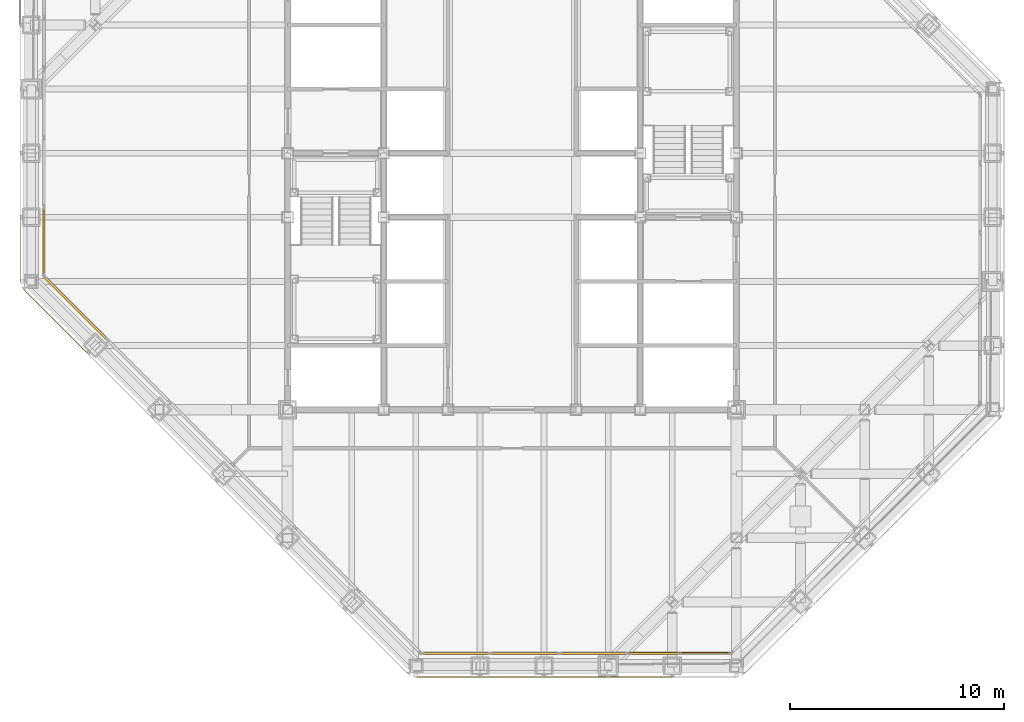
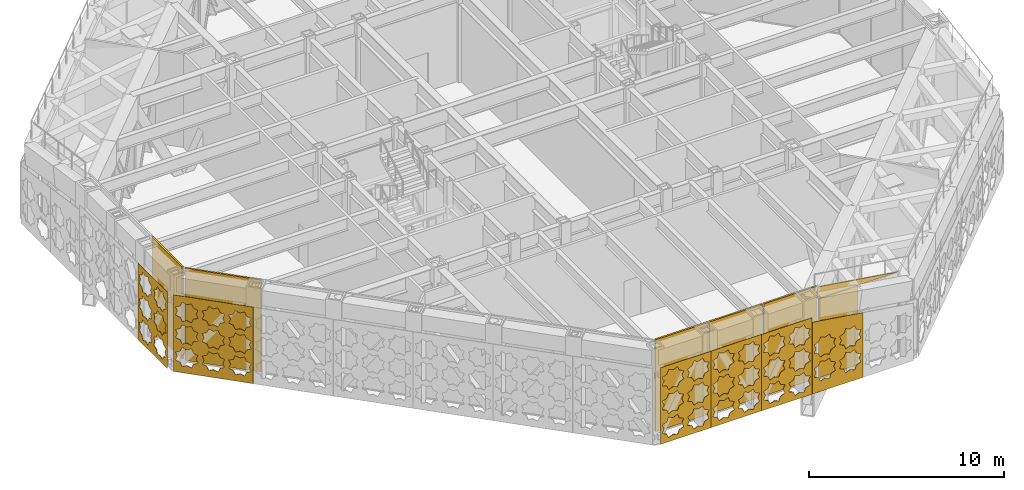
# One storey, part 23 of 29: 7 coverings, 6 shading devices, 4 elements without a shape of their own.
"""IFC4 building model written with IfcOpenShell, lengths in metres."""

import ifcopenshell
import ifcopenshell.guid

model = None  # the IFC model being written
_history = None  # IfcOwnerHistory: only IFC2X3 demands one
_inside = {}  # id of a spatial element -> (the spatial element, [elements in it])
_under = {}  # id of a project, library or spatial element -> (it, [spatial elements below it])
_declared = {}  # id of a project -> (the project, [libraries it declares])
_typed = {}  # id of a type object -> (the type object, [elements of that type])
_made_of = {}  # id of a material, layer set ... -> (it, [elements and type objects made of it])


def new_model(schema):
    """Start an empty IFC model of exactly this schema.

    Asked for "IFC4X3", IfcOpenShell would pick the latest addendum, in which some entities
    have other attributes; the version numbers below select the first issue.
    IFC2X3 requires an IfcOwnerHistory on every rooted entity: one is made here for all.
    """
    global model, _history
    if schema == "IFC4X3":
        model = ifcopenshell.file(schema_version=(4, 3, 0, 0))
    else:
        model = ifcopenshell.file(schema=schema)
    _inside.clear()
    _under.clear()
    _declared.clear()
    _typed.clear()
    _made_of.clear()
    _history = None
    if model.schema == "IFC2X3":
        org = make("IfcOrganization", Name="unknown")
        user = make(
            "IfcPersonAndOrganization",
            ThePerson=make("IfcPerson", FamilyName="unknown"),
            TheOrganization=org,
        )
        app = make(
            "IfcApplication",
            ApplicationDeveloper=org,
            Version="unknown",
            ApplicationFullName="unknown",
            ApplicationIdentifier="unknown",
        )
        _history = make(
            "IfcOwnerHistory",
            OwningUser=user,
            OwningApplication=app,
            ChangeAction="ADDED",
            CreationDate=0,
        )
    return model


def make(cls, **values):
    """One entity of the class cls with the attributes given. An attribute that is None is left unset."""
    return model.create_entity(
        cls, **{name: value for name, value in values.items() if value is not None}
    )


def rooted(cls, **values):
    """An entity with a GlobalId (a new one), such as an element, a storey or a relation."""
    return make(cls, GlobalId=ifcopenshell.guid.new(), OwnerHistory=_history, **values)


def si_unit(unit_type, name, prefix=None):
    """IfcSIUnit, for example si_unit("LENGTHUNIT", "METRE", prefix="MILLI")."""
    return make("IfcSIUnit", UnitType=unit_type, Prefix=prefix, Name=name)


def assignment(units):
    """IfcUnitAssignment: the units of a project."""
    return None if units is None else make("IfcUnitAssignment", Units=units)


def point(xyz):
    """IfcCartesianPoint."""
    return None if xyz is None else make("IfcCartesianPoint", Coordinates=xyz)


def direction(xyz):
    """IfcDirection."""
    return None if xyz is None else make("IfcDirection", DirectionRatios=xyz)


def frame(location, z_axis=None, x_axis=None):
    """IfcAxis2Placement3D, a coordinate frame: its origin and axes. An axis left out is left unset."""
    return make(
        "IfcAxis2Placement3D",
        Location=point(location),
        Axis=direction(z_axis),
        RefDirection=direction(x_axis),
    )


def frame_2d(location, x_axis=None):
    """IfcAxis2Placement2D, a coordinate frame in the plane: its origin and x axis."""
    return make(
        "IfcAxis2Placement2D", Location=point(location), RefDirection=direction(x_axis)
    )


def origin():
    """The frame at (0, 0, 0) with its axes left unset."""
    return frame((0.0, 0.0, 0.0))


def origin_2d():
    """The frame at (0, 0) in the plane with its x axis left unset."""
    return frame_2d((0.0, 0.0))


def place(relative_to, where):
    """IfcLocalPlacement: puts the frame where relative to a parent placement (None: the world)."""
    return make(
        "IfcLocalPlacement", PlacementRelTo=relative_to, RelativePlacement=where
    )


def context(
    kind, dimensions, precision=None, world=None, true_north=None, identifier=None
):
    """IfcGeometricRepresentationContext, for example the 3D "Model" context."""
    return make(
        "IfcGeometricRepresentationContext",
        ContextIdentifier=identifier,
        ContextType=kind,
        CoordinateSpaceDimension=dimensions,
        Precision=precision,
        WorldCoordinateSystem=world,
        TrueNorth=true_north,
    )


def subcontext(parent, identifier, kind, view, scale=None):
    """IfcGeometricRepresentationSubContext, for example "Body" below "Model"."""
    return make(
        "IfcGeometricRepresentationSubContext",
        ContextIdentifier=identifier,
        ContextType=kind,
        ParentContext=parent,
        TargetScale=scale,
        TargetView=view,
    )


def project(units=None, contexts=None):
    """IfcProject with its units and contexts."""
    return rooted(
        "IfcProject",
        Name="project",
        RepresentationContexts=contexts,
        UnitsInContext=assignment(units),
    )


def spatial(cls, under=None, at=None, **own):
    """A site, building, storey or space (cls), placed at a placement, below another one or the project."""
    s = rooted(cls, ObjectPlacement=at, **own)
    if under is not None:
        _under.setdefault(under.id(), (under, []))[1].append(s)
    return s


def polyline(points):
    """IfcPolyline through the points."""
    return make("IfcPolyline", Points=[point(p) for p in points])


def profile(cls, at=None, kind="AREA", **sizes):
    """A parametric profile (cls). Its sizes go by their IFC names, for example OverallWidth=200.0."""
    return make(cls, ProfileType=kind, Position=at, **sizes)


def rectangle(**sizes):
    """IfcRectangleProfileDef."""
    return profile("IfcRectangleProfileDef", **sizes)


def outline(outer, holes=None, kind="AREA"):
    """IfcArbitraryClosedProfileDef: a profile drawn as a closed curve; with holes, ...WithVoids."""
    if holes is None:
        return make("IfcArbitraryClosedProfileDef", ProfileType=kind, OuterCurve=outer)
    return make(
        "IfcArbitraryProfileDefWithVoids",
        ProfileType=kind,
        OuterCurve=outer,
        InnerCurves=holes,
    )


def extrude(swept, where, along, depth):
    """IfcExtrudedAreaSolid: the profile swept, set in the frame where, extruded along a direction by depth."""
    return make(
        "IfcExtrudedAreaSolid",
        SweptArea=swept,
        Position=where,
        ExtrudedDirection=direction(along),
        Depth=depth,
    )


def shape(context_of_items, identifier, shape_type, items):
    """IfcShapeRepresentation: the items that make up one representation, for example the "Body"."""
    return make(
        "IfcShapeRepresentation",
        ContextOfItems=context_of_items,
        RepresentationIdentifier=identifier,
        RepresentationType=shape_type,
        Items=items,
    )


def material(Name=None, Category=None):
    """IfcMaterial."""
    return make("IfcMaterial", Name=Name, Category=Category)


def layer(
    of_material, thickness, ventilated=None, Name=None, Category=None, Priority=None
):
    """IfcMaterialLayer: one layer of a wall or slab, of a material (None: an air gap)."""
    return make(
        "IfcMaterialLayer",
        Material=of_material,
        LayerThickness=thickness,
        IsVentilated=ventilated,
        Name=Name,
        Category=Category,
        Priority=Priority,
    )


def layer_set(layers, Name=None):
    """IfcMaterialLayerSet."""
    return make("IfcMaterialLayerSet", MaterialLayers=layers, LayerSetName=Name)


def made_of(thing, what):
    """Note that an element or type object is made of a material, layer set ...; save() writes the relation."""
    if what is not None:
        _made_of.setdefault(what.id(), (what, []))[1].append(thing)
    return thing


def type_object(cls, material=None, **own):
    """A type object (cls), such as IfcWallType, which elements share."""
    return made_of(rooted(cls, **own), material)


def element(
    cls,
    number,
    at=None,
    inside=None,
    cuts=None,
    type_object=None,
    material=None,
    context=None,
    identifier="Body",
    shape_type=None,
    held_by="IfcProductDefinitionShape",
    body=None,
    shapes=None,
    **own,
):
    """One element of the class cls, such as IfcWall. Its Tag is "e" and its number.

    at: its placement. inside: the storey or other place that contains it. cuts: it is an
    opening in that element (IfcRelVoidsElement). A single representation is given by context,
    identifier, shape_type and body (its items); several are given by shapes. held_by: the class
    of the entity that holds the representations. save() writes the other relations.
    """
    e = rooted(cls, Tag="e%d" % number, ObjectPlacement=at, **own)
    if body is not None:
        shapes = [shape(context, identifier, shape_type, body)]
    if shapes is not None:
        e.Representation = make(held_by, Representations=shapes)
    if inside is not None:
        _inside.setdefault(inside.id(), (inside, []))[1].append(e)
    if cuts is not None:
        rooted(
            "IfcRelVoidsElement", RelatingBuildingElement=cuts, RelatedOpeningElement=e
        )
    if type_object is not None:
        _typed.setdefault(type_object.id(), (type_object, []))[1].append(e)
    return made_of(e, material)


def aggregate(whole, parts):
    """IfcRelAggregates: a whole, such as a stair, and the parts it consists of."""
    return rooted("IfcRelAggregates", RelatingObject=whole, RelatedObjects=parts)


def save(model, path):
    """Write the relations noted so far, then the file.

    IfcRelAggregates (storeys below a building ...), IfcRelContainedInSpatialStructure (elements
    in a storey), IfcRelDefinesByType, IfcRelAssociatesMaterial and IfcRelDeclares: one each for
    every whole, place, type object, material and project.
    """
    for whole, parts in _under.values():
        aggregate(whole, parts)
    for where, things in _inside.values():
        rooted(
            "IfcRelContainedInSpatialStructure",
            RelatedElements=things,
            RelatingStructure=where,
        )
    for kind, things in _typed.values():
        rooted("IfcRelDefinesByType", RelatedObjects=things, RelatingType=kind)
    for what, things in _made_of.values():
        rooted("IfcRelAssociatesMaterial", RelatedObjects=things, RelatingMaterial=what)
    for by, libraries in _declared.values():
        rooted("IfcRelDeclares", RelatingContext=by, RelatedDefinitions=libraries)
    model.write(path)


model = new_model("IFC4")

# Units and contexts
model_context = context("Model", 3, precision=1e-05, world=origin(), true_north=direction((0.0, 1.0)))
body_context = subcontext(model_context, "Body", "Model", "MODEL_VIEW")
ifc_project = project(units=[si_unit("LENGTHUNIT", "METRE"), si_unit("AREAUNIT", "SQUARE_METRE"), si_unit("VOLUMEUNIT", "CUBIC_METRE"), si_unit("PLANEANGLEUNIT", "RADIAN"), si_unit("MASSUNIT", "GRAM", prefix="KILO")], contexts=[model_context])

# Site, building, storey
site_placement = place(None, origin())
site = spatial("IfcSite", under=ifc_project, at=site_placement, CompositionType="ELEMENT")
building_placement = place(site_placement, origin())
building = spatial("IfcBuilding", under=site, at=building_placement, Name="Chuquiago Exchange Tower", CompositionType="ELEMENT")
storey_placement = place(building_placement, frame((0.0, 0.0, 251.699951171875)))
storey = spatial("IfcBuildingStorey", under=building, at=storey_placement, Name="L56", CompositionType="ELEMENT", Elevation=251.699951171875)

# Curtain wall, shading devices
ifc_material_1 = material(Name="Aluminium curtain wall system", Category="aluminium")
ifc_layer_1 = layer(ifc_material_1, 0.199951171875)
ifc_layer_set_1 = layer_set([ifc_layer_1], Name="CW6 plant floor louvre wall")
curtain_wall_type = type_object("IfcCurtainWallType", Name="CW6 plant floor louvre wall", PredefinedType="NOTDEFINED", material=ifc_layer_set_1)
curtain_wall_1_placement = place(storey_placement, origin())
curtain_wall_1 = element("IfcCurtainWall", 1, at=curtain_wall_1_placement, inside=storey, type_object=curtain_wall_type, Name="CW6 curtain wall L56", PredefinedType="NOTDEFINED")
ifc_material_2 = material(Name="Aluminium louvre", Category="aluminium")
ifc_layer_2 = layer(ifc_material_2, 0.10009765625)
ifc_layer_set_2 = layer_set([ifc_layer_2], Name="CW6-P louvre panel 100")
shading_device_type = type_object("IfcShadingDeviceType", Name="CW6-P louvre panel 100", PredefinedType="USERDEFINED", material=ifc_layer_set_2)
shading_device_1_placement = place(storey_placement, frame((19.884765625, 0.60009765625, 0.0751953125), z_axis=(0.0, 0.0, 1.0), x_axis=(1.0, 0.0, 0.0)))
shading_device_1 = element("IfcShadingDevice", 2, at=shading_device_1_placement, type_object=shading_device_type, Name="CW6 panel 1.1", ObjectType="LOUVER", PredefinedType="USERDEFINED", context=body_context, shape_type="SweptSolid", body=[
    extrude(rectangle(XDim=3.12255859375, YDim=0.10009765625, at=origin_2d()), origin(), (0.0, 0.0, 1.0), 5.764892578125),
])
shading_device_2_placement = place(storey_placement, frame((23.10107421875, 0.60009765625, 0.0751953125), z_axis=(0.0, 0.0, 1.0), x_axis=(1.0, 0.0, 0.0)))
shading_device_2 = element("IfcShadingDevice", 3, at=shading_device_2_placement, type_object=shading_device_type, Name="CW6 panel 2.1", ObjectType="LOUVER", PredefinedType="USERDEFINED", context=body_context, shape_type="SweptSolid", body=[
    extrude(rectangle(XDim=3.159912109375, YDim=0.10009765625, at=origin_2d()), origin(), (0.0, 0.0, 1.0), 5.764892578125),
])
shading_device_3_placement = place(storey_placement, frame((26.317138671875, 0.60009765625, 0.0751953125), z_axis=(0.0, 0.0, 1.0), x_axis=(1.0, 0.0, 0.0)))
shading_device_3 = element("IfcShadingDevice", 4, at=shading_device_3_placement, type_object=shading_device_type, Name="CW6 panel 3.1", ObjectType="LOUVER", PredefinedType="USERDEFINED", context=body_context, shape_type="SweptSolid", body=[
    extrude(rectangle(XDim=3.12255859375, YDim=0.10009765625, at=origin_2d()), origin(), (0.0, 0.0, 1.0), 5.764892578125),
])
aggregate(curtain_wall_1, [shading_device_1, shading_device_2, shading_device_3])

# Curtain wall, shading device
curtain_wall_2_placement = place(storey_placement, origin())
curtain_wall_2 = element("IfcCurtainWall", 5, at=curtain_wall_2_placement, inside=storey, type_object=curtain_wall_type, Name="CW6 curtain wall L56", PredefinedType="NOTDEFINED")
shading_device_4_placement = place(storey_placement, frame((29.171630859375, 0.60009765625, 0.074951171875), z_axis=(0.0, 0.0, 1.0), x_axis=(1.0, 0.0, 0.0)))
shading_device_4 = element("IfcShadingDevice", 6, at=shading_device_4_placement, type_object=shading_device_type, Name="CW6 panel 1.1", ObjectType="LOUVER", PredefinedType="USERDEFINED", context=body_context, shape_type="SweptSolid", body=[
    extrude(rectangle(XDim=2.286376953125, YDim=0.10009765625, at=origin_2d()), origin(), (0.0, 0.0, 1.0), 4.9462890625),
])
aggregate(curtain_wall_2, [shading_device_4])

curtain_wall_3_placement = place(storey_placement, origin())
curtain_wall_3 = element("IfcCurtainWall", 7, at=curtain_wall_3_placement, inside=storey, type_object=curtain_wall_type, Name="CW6 curtain wall L56", PredefinedType="NOTDEFINED")
shading_device_5_placement = place(storey_placement, frame((0.60009765625, 19.884765625, 0.0751953125), z_axis=(0.0, 0.0, 1.0), x_axis=(0.0, -1.0, 0.0)))
shading_device_5 = element("IfcShadingDevice", 8, at=shading_device_5_placement, type_object=shading_device_type, Name="CW6 panel 3.1", ObjectType="LOUVER", PredefinedType="USERDEFINED", context=body_context, shape_type="SweptSolid", body=[
    extrude(rectangle(XDim=3.12255859375, YDim=0.10009765625, at=origin_2d()), origin(), (0.0, 0.0, 1.0), 5.764892578125),
])
aggregate(curtain_wall_3, [shading_device_5])

curtain_wall_4_placement = place(storey_placement, origin())
curtain_wall_4 = element("IfcCurtainWall", 9, at=curtain_wall_4_placement, inside=storey, type_object=curtain_wall_type, Name="CW6 curtain wall L56", PredefinedType="NOTDEFINED")
shading_device_6_placement = place(storey_placement, frame((2.083984375, 16.7646484375, 0.0751953125), z_axis=(0.0, 0.0, 1.0), x_axis=(0.707106781187, -0.707106781187, 0.0)))
shading_device_6 = element("IfcShadingDevice", 10, at=shading_device_6_placement, type_object=shading_device_type, Name="CW6 panel 1.1", ObjectType="LOUVER", PredefinedType="USERDEFINED", context=body_context, shape_type="SweptSolid", body=[
    extrude(rectangle(XDim=4.04736328125, YDim=0.10009765625, at=origin_2d()), origin(), (0.0, 0.0, 1.0), 5.764892578125),
])
aggregate(curtain_wall_4, [shading_device_6])

# Coverings
ifc_material_3 = material(Name="Pale metal insulated fascia panel", Category="aluminium")
ifc_layer_3 = layer(ifc_material_3, 0.050048828125)
ifc_layer_set_3 = layer_set([ifc_layer_3], Name="FX1 raked fascia panel 50")
covering_type_1 = type_object("IfcCoveringType", Name="FX1 raked fascia panel 50", PredefinedType="CLADDING", material=ifc_layer_set_3)
covering_1_placement = place(storey_placement, frame((27.95361328125, 0.60009765625, 5.021240234375), z_axis=(0.0, -1.0, 0.0), x_axis=(1.0, 0.0, 0.0)))
element("IfcCovering", 11, at=covering_1_placement, inside=storey, type_object=covering_type_1, Name="Raked fascia L56 S under the SE facet roof", PredefinedType="CLADDING", context=body_context, shape_type="SweptSolid", body=[
    extrude(outline(polyline([(0.0, 0.0), (4.7978515625, 0.0), (0.0, 0.72119140625), (0.0, 0.0)])), origin(), (0.0, 0.0, -1.0), 0.050048828125),
])
ifc_material_4 = material(Name="Anodised aluminium, pale", Category="aluminium")
ifc_layer_4 = layer(ifc_material_4, 0.02001953125)
ifc_layer_set_4 = layer_set([ifc_layer_4], Name="GC1 girih cladding panel 20")
covering_type_2 = type_object("IfcCoveringType", Name="GC1 girih cladding panel 20", PredefinedType="CLADDING", material=ifc_layer_set_4)
covering_2_placement = place(storey_placement, frame((18.0048828125, -0.5, 0.050048828125), z_axis=(0.0, 0.0, 1.0), x_axis=(1.0, 0.0, 0.0)))
element("IfcCovering", 12, at=covering_2_placement, inside=storey, type_object=covering_type_2, Name="Girih cladding panel L56 S 1", PredefinedType="CLADDING", context=body_context, shape_type="SweptSolid", body=[
    extrude(outline(polyline([(0.0, 0.0), (2.989990234375, 0.0), (2.989990234375, 4.7900390625), (0.0, 4.7900390625), (0.0, 0.0)]), holes=[polyline([(1.27392578125, 0.89990234375), (1.3828125, 1.1630859375), (1.11962890625, 1.272216796875), (1.0107421875, 1.535400390625), (0.74755859375, 1.426513671875), (0.484375, 1.535400390625), (0.375244140625, 1.272216796875), (0.112060546875, 1.1630859375), (0.22119140625, 0.89990234375), (0.112060546875, 0.63671875), (0.375244140625, 0.52783203125), (0.484375, 0.2646484375), (0.74755859375, 0.37353515625), (1.0107421875, 0.2646484375), (1.11962890625, 0.52783203125), (1.3828125, 0.63671875), (1.27392578125, 0.89990234375)]), polyline([(2.768798828125, 0.89990234375), (2.8779296875, 1.1630859375), (2.61474609375, 1.272216796875), (2.505615234375, 1.535400390625), (2.242431640625, 1.426513671875), (1.979248046875, 1.535400390625), (1.870361328125, 1.272216796875), (1.607177734375, 1.1630859375), (1.716064453125, 0.89990234375), (1.607177734375, 0.63671875), (1.870361328125, 0.52783203125), (1.979248046875, 0.2646484375), (2.242431640625, 0.37353515625), (2.505615234375, 0.2646484375), (2.61474609375, 0.52783203125), (2.8779296875, 0.63671875), (2.768798828125, 0.89990234375)]), polyline([(1.27392578125, 2.39501953125), (1.3828125, 2.658203125), (1.11962890625, 2.76708984375), (1.0107421875, 3.030517578125), (0.74755859375, 2.92138671875), (0.484375, 3.030517578125), (0.375244140625, 2.76708984375), (0.112060546875, 2.658203125), (0.22119140625, 2.39501953125), (0.112060546875, 2.1318359375), (0.375244140625, 2.022705078125), (0.484375, 1.759521484375), (0.74755859375, 1.86865234375), (1.0107421875, 1.759521484375), (1.11962890625, 2.022705078125), (1.3828125, 2.1318359375), (1.27392578125, 2.39501953125)]), polyline([(2.768798828125, 2.39501953125), (2.8779296875, 2.658203125), (2.61474609375, 2.76708984375), (2.505615234375, 3.030517578125), (2.242431640625, 2.92138671875), (1.979248046875, 3.030517578125), (1.870361328125, 2.76708984375), (1.607177734375, 2.658203125), (1.716064453125, 2.39501953125), (1.607177734375, 2.1318359375), (1.870361328125, 2.022705078125), (1.979248046875, 1.759521484375), (2.242431640625, 1.86865234375), (2.505615234375, 1.759521484375), (2.61474609375, 2.022705078125), (2.8779296875, 2.1318359375), (2.768798828125, 2.39501953125)]), polyline([(1.27392578125, 3.889892578125), (1.3828125, 4.1533203125), (1.11962890625, 4.26220703125), (1.0107421875, 4.525390625), (0.74755859375, 4.41650390625), (0.484375, 4.525390625), (0.375244140625, 4.26220703125), (0.112060546875, 4.1533203125), (0.22119140625, 3.889892578125), (0.112060546875, 3.626708984375), (0.375244140625, 3.517822265625), (0.484375, 3.254638671875), (0.74755859375, 3.363525390625), (1.0107421875, 3.254638671875), (1.11962890625, 3.517822265625), (1.3828125, 3.626708984375), (1.27392578125, 3.889892578125)]), polyline([(2.768798828125, 3.889892578125), (2.8779296875, 4.1533203125), (2.61474609375, 4.26220703125), (2.505615234375, 4.525390625), (2.242431640625, 4.41650390625), (1.979248046875, 4.525390625), (1.870361328125, 4.26220703125), (1.607177734375, 4.1533203125), (1.716064453125, 3.889892578125), (1.607177734375, 3.626708984375), (1.870361328125, 3.517822265625), (1.979248046875, 3.254638671875), (2.242431640625, 3.363525390625), (2.505615234375, 3.254638671875), (2.61474609375, 3.517822265625), (2.8779296875, 3.626708984375), (2.768798828125, 3.889892578125)])]), frame((0.0, 0.0, 0.0), z_axis=(0.0, -1.0, 0.0), x_axis=(1.0, 0.0, 0.0)), (0.0, 0.0, 1.0), 0.02001953125),
])
covering_3_placement = place(storey_placement, frame((21.0048828125, -0.5, 0.050048828125), z_axis=(0.0, 0.0, 1.0), x_axis=(1.0, 0.0, 0.0)))
element("IfcCovering", 13, at=covering_3_placement, inside=storey, type_object=covering_type_2, Name="Girih cladding panel L56 S 2", PredefinedType="CLADDING", context=body_context, shape_type="SweptSolid", body=[
    extrude(outline(polyline([(0.0, 0.0), (2.989990234375, 0.0), (2.989990234375, 4.7900390625), (0.0, 4.7900390625), (0.0, 0.0)]), holes=[polyline([(1.27392578125, 0.89990234375), (1.3828125, 1.1630859375), (1.11962890625, 1.272216796875), (1.0107421875, 1.535400390625), (0.74755859375, 1.426513671875), (0.484375, 1.535400390625), (0.375244140625, 1.272216796875), (0.112060546875, 1.1630859375), (0.22119140625, 0.89990234375), (0.112060546875, 0.63671875), (0.375244140625, 0.52783203125), (0.484375, 0.2646484375), (0.74755859375, 0.37353515625), (1.0107421875, 0.2646484375), (1.11962890625, 0.52783203125), (1.3828125, 0.63671875), (1.27392578125, 0.89990234375)]), polyline([(2.768798828125, 0.89990234375), (2.8779296875, 1.1630859375), (2.61474609375, 1.272216796875), (2.505615234375, 1.535400390625), (2.242431640625, 1.426513671875), (1.979248046875, 1.535400390625), (1.870361328125, 1.272216796875), (1.607177734375, 1.1630859375), (1.716064453125, 0.89990234375), (1.607177734375, 0.63671875), (1.870361328125, 0.52783203125), (1.979248046875, 0.2646484375), (2.242431640625, 0.37353515625), (2.505615234375, 0.2646484375), (2.61474609375, 0.52783203125), (2.8779296875, 0.63671875), (2.768798828125, 0.89990234375)]), polyline([(1.27392578125, 2.39501953125), (1.3828125, 2.658203125), (1.11962890625, 2.76708984375), (1.0107421875, 3.030517578125), (0.74755859375, 2.92138671875), (0.484375, 3.030517578125), (0.375244140625, 2.76708984375), (0.112060546875, 2.658203125), (0.22119140625, 2.39501953125), (0.112060546875, 2.1318359375), (0.375244140625, 2.022705078125), (0.484375, 1.759521484375), (0.74755859375, 1.86865234375), (1.0107421875, 1.759521484375), (1.11962890625, 2.022705078125), (1.3828125, 2.1318359375), (1.27392578125, 2.39501953125)]), polyline([(2.768798828125, 2.39501953125), (2.8779296875, 2.658203125), (2.61474609375, 2.76708984375), (2.505615234375, 3.030517578125), (2.242431640625, 2.92138671875), (1.979248046875, 3.030517578125), (1.870361328125, 2.76708984375), (1.607177734375, 2.658203125), (1.716064453125, 2.39501953125), (1.607177734375, 2.1318359375), (1.870361328125, 2.022705078125), (1.979248046875, 1.759521484375), (2.242431640625, 1.86865234375), (2.505615234375, 1.759521484375), (2.61474609375, 2.022705078125), (2.8779296875, 2.1318359375), (2.768798828125, 2.39501953125)]), polyline([(1.27392578125, 3.889892578125), (1.3828125, 4.1533203125), (1.11962890625, 4.26220703125), (1.0107421875, 4.525390625), (0.74755859375, 4.41650390625), (0.484375, 4.525390625), (0.375244140625, 4.26220703125), (0.112060546875, 4.1533203125), (0.22119140625, 3.889892578125), (0.112060546875, 3.626708984375), (0.375244140625, 3.517822265625), (0.484375, 3.254638671875), (0.74755859375, 3.363525390625), (1.0107421875, 3.254638671875), (1.11962890625, 3.517822265625), (1.3828125, 3.626708984375), (1.27392578125, 3.889892578125)]), polyline([(2.768798828125, 3.889892578125), (2.8779296875, 4.1533203125), (2.61474609375, 4.26220703125), (2.505615234375, 4.525390625), (2.242431640625, 4.41650390625), (1.979248046875, 4.525390625), (1.870361328125, 4.26220703125), (1.607177734375, 4.1533203125), (1.716064453125, 3.889892578125), (1.607177734375, 3.626708984375), (1.870361328125, 3.517822265625), (1.979248046875, 3.254638671875), (2.242431640625, 3.363525390625), (2.505615234375, 3.254638671875), (2.61474609375, 3.517822265625), (2.8779296875, 3.626708984375), (2.768798828125, 3.889892578125)])]), frame((0.0, 0.0, 0.0), z_axis=(0.0, -1.0, 0.0), x_axis=(1.0, 0.0, 0.0)), (0.0, 0.0, 1.0), 0.02001953125),
])
covering_4_placement = place(storey_placement, frame((24.0048828125, -0.5, 0.050048828125), z_axis=(0.0, 0.0, 1.0), x_axis=(1.0, 0.0, 0.0)))
element("IfcCovering", 14, at=covering_4_placement, inside=storey, type_object=covering_type_2, Name="Girih cladding panel L56 S 3", PredefinedType="CLADDING", context=body_context, shape_type="SweptSolid", body=[
    extrude(outline(polyline([(0.0, 0.0), (2.989990234375, 0.0), (2.989990234375, 4.7900390625), (0.0, 4.7900390625), (0.0, 0.0)]), holes=[polyline([(1.27392578125, 0.89990234375), (1.3828125, 1.1630859375), (1.11962890625, 1.272216796875), (1.0107421875, 1.535400390625), (0.74755859375, 1.426513671875), (0.484375, 1.535400390625), (0.375244140625, 1.272216796875), (0.112060546875, 1.1630859375), (0.22119140625, 0.89990234375), (0.112060546875, 0.63671875), (0.375244140625, 0.52783203125), (0.484375, 0.2646484375), (0.74755859375, 0.37353515625), (1.0107421875, 0.2646484375), (1.11962890625, 0.52783203125), (1.3828125, 0.63671875), (1.27392578125, 0.89990234375)]), polyline([(2.768798828125, 0.89990234375), (2.8779296875, 1.1630859375), (2.61474609375, 1.272216796875), (2.505615234375, 1.535400390625), (2.242431640625, 1.426513671875), (1.979248046875, 1.535400390625), (1.870361328125, 1.272216796875), (1.607177734375, 1.1630859375), (1.716064453125, 0.89990234375), (1.607177734375, 0.63671875), (1.870361328125, 0.52783203125), (1.979248046875, 0.2646484375), (2.242431640625, 0.37353515625), (2.505615234375, 0.2646484375), (2.61474609375, 0.52783203125), (2.8779296875, 0.63671875), (2.768798828125, 0.89990234375)]), polyline([(1.27392578125, 2.39501953125), (1.3828125, 2.658203125), (1.11962890625, 2.76708984375), (1.0107421875, 3.030517578125), (0.74755859375, 2.92138671875), (0.484375, 3.030517578125), (0.375244140625, 2.76708984375), (0.112060546875, 2.658203125), (0.22119140625, 2.39501953125), (0.112060546875, 2.1318359375), (0.375244140625, 2.022705078125), (0.484375, 1.759521484375), (0.74755859375, 1.86865234375), (1.0107421875, 1.759521484375), (1.11962890625, 2.022705078125), (1.3828125, 2.1318359375), (1.27392578125, 2.39501953125)]), polyline([(2.768798828125, 2.39501953125), (2.8779296875, 2.658203125), (2.61474609375, 2.76708984375), (2.505615234375, 3.030517578125), (2.242431640625, 2.92138671875), (1.979248046875, 3.030517578125), (1.870361328125, 2.76708984375), (1.607177734375, 2.658203125), (1.716064453125, 2.39501953125), (1.607177734375, 2.1318359375), (1.870361328125, 2.022705078125), (1.979248046875, 1.759521484375), (2.242431640625, 1.86865234375), (2.505615234375, 1.759521484375), (2.61474609375, 2.022705078125), (2.8779296875, 2.1318359375), (2.768798828125, 2.39501953125)]), polyline([(1.27392578125, 3.889892578125), (1.3828125, 4.1533203125), (1.11962890625, 4.26220703125), (1.0107421875, 4.525390625), (0.74755859375, 4.41650390625), (0.484375, 4.525390625), (0.375244140625, 4.26220703125), (0.112060546875, 4.1533203125), (0.22119140625, 3.889892578125), (0.112060546875, 3.626708984375), (0.375244140625, 3.517822265625), (0.484375, 3.254638671875), (0.74755859375, 3.363525390625), (1.0107421875, 3.254638671875), (1.11962890625, 3.517822265625), (1.3828125, 3.626708984375), (1.27392578125, 3.889892578125)]), polyline([(2.768798828125, 3.889892578125), (2.8779296875, 4.1533203125), (2.61474609375, 4.26220703125), (2.505615234375, 4.525390625), (2.242431640625, 4.41650390625), (1.979248046875, 4.525390625), (1.870361328125, 4.26220703125), (1.607177734375, 4.1533203125), (1.716064453125, 3.889892578125), (1.607177734375, 3.626708984375), (1.870361328125, 3.517822265625), (1.979248046875, 3.254638671875), (2.242431640625, 3.363525390625), (2.505615234375, 3.254638671875), (2.61474609375, 3.517822265625), (2.8779296875, 3.626708984375), (2.768798828125, 3.889892578125)])]), frame((0.0, 0.0, 0.0), z_axis=(0.0, -1.0, 0.0), x_axis=(1.0, 0.0, 0.0)), (0.0, 0.0, 1.0), 0.02001953125),
])
covering_5_placement = place(storey_placement, frame((27.0048828125, -0.5, 0.050048828125), z_axis=(0.0, 0.0, 1.0), x_axis=(1.0, 0.0, 0.0)))
element("IfcCovering", 15, at=covering_5_placement, inside=storey, type_object=covering_type_2, Name="Girih cladding panel L56 S 4", PredefinedType="CLADDING", context=body_context, shape_type="SweptSolid", body=[
    extrude(outline(polyline([(0.0, 0.0), (2.989990234375, 0.0), (2.989990234375, 4.0498046875), (0.0, 4.499267578125), (0.0, 0.0)]), holes=[polyline([(1.27392578125, 1.27734375), (1.3828125, 1.54052734375), (1.11962890625, 1.649658203125), (1.0107421875, 1.912841796875), (0.74755859375, 1.8037109375), (0.484375, 1.912841796875), (0.375244140625, 1.649658203125), (0.112060546875, 1.54052734375), (0.22119140625, 1.27734375), (0.112060546875, 1.014404296875), (0.375244140625, 0.9052734375), (0.484375, 0.64208984375), (0.74755859375, 0.751220703125), (1.0107421875, 0.64208984375), (1.11962890625, 0.9052734375), (1.3828125, 1.014404296875), (1.27392578125, 1.27734375)]), polyline([(2.768798828125, 1.27734375), (2.8779296875, 1.54052734375), (2.61474609375, 1.649658203125), (2.505615234375, 1.912841796875), (2.242431640625, 1.8037109375), (1.979248046875, 1.912841796875), (1.870361328125, 1.649658203125), (1.607177734375, 1.54052734375), (1.716064453125, 1.27734375), (1.607177734375, 1.014404296875), (1.870361328125, 0.9052734375), (1.979248046875, 0.64208984375), (2.242431640625, 0.751220703125), (2.505615234375, 0.64208984375), (2.61474609375, 0.9052734375), (2.8779296875, 1.014404296875), (2.768798828125, 1.27734375)]), polyline([(1.27392578125, 2.7724609375), (1.3828125, 3.03564453125), (1.11962890625, 3.14453125), (1.0107421875, 3.40771484375), (0.74755859375, 3.298828125), (0.484375, 3.40771484375), (0.375244140625, 3.14453125), (0.112060546875, 3.03564453125), (0.22119140625, 2.7724609375), (0.112060546875, 2.50927734375), (0.375244140625, 2.400390625), (0.484375, 2.13720703125), (0.74755859375, 2.24609375), (1.0107421875, 2.13720703125), (1.11962890625, 2.400390625), (1.3828125, 2.50927734375), (1.27392578125, 2.7724609375)]), polyline([(2.768798828125, 2.7724609375), (2.8779296875, 3.03564453125), (2.61474609375, 3.14453125), (2.505615234375, 3.40771484375), (2.242431640625, 3.298828125), (1.979248046875, 3.40771484375), (1.870361328125, 3.14453125), (1.607177734375, 3.03564453125), (1.716064453125, 2.7724609375), (1.607177734375, 2.50927734375), (1.870361328125, 2.400390625), (1.979248046875, 2.13720703125), (2.242431640625, 2.24609375), (2.505615234375, 2.13720703125), (2.61474609375, 2.400390625), (2.8779296875, 2.50927734375), (2.768798828125, 2.7724609375)])]), frame((0.0, 0.0, 0.0), z_axis=(0.0, -1.0, 0.0), x_axis=(1.0, 0.0, 0.0)), (0.0, 0.0, 1.0), 0.02001953125),
])
covering_6_placement = place(storey_placement, frame((-0.5, 20.9951171875, 0.050048828125), z_axis=(0.0, 0.0, 1.0), x_axis=(0.0, -1.0, 0.0)))
element("IfcCovering", 16, at=covering_6_placement, inside=storey, type_object=covering_type_2, Name="Girih cladding panel L56 W 5", PredefinedType="CLADDING", context=body_context, shape_type="SweptSolid", body=[
    extrude(outline(polyline([(0.0, 0.0), (2.989990234375, 0.0), (2.989990234375, 4.7900390625), (0.0, 4.7900390625), (0.0, 0.0)]), holes=[polyline([(1.27392578125, 0.89990234375), (1.3828125, 1.1630859375), (1.11962890625, 1.272216796875), (1.0107421875, 1.535400390625), (0.74755859375, 1.426513671875), (0.484375, 1.535400390625), (0.375244140625, 1.272216796875), (0.112060546875, 1.1630859375), (0.22119140625, 0.89990234375), (0.112060546875, 0.63671875), (0.375244140625, 0.52783203125), (0.484375, 0.2646484375), (0.74755859375, 0.37353515625), (1.0107421875, 0.2646484375), (1.11962890625, 0.52783203125), (1.3828125, 0.63671875), (1.27392578125, 0.89990234375)]), polyline([(2.768798828125, 0.89990234375), (2.8779296875, 1.1630859375), (2.61474609375, 1.272216796875), (2.505615234375, 1.535400390625), (2.242431640625, 1.426513671875), (1.979248046875, 1.535400390625), (1.870361328125, 1.272216796875), (1.607177734375, 1.1630859375), (1.716064453125, 0.89990234375), (1.607177734375, 0.63671875), (1.870361328125, 0.52783203125), (1.979248046875, 0.2646484375), (2.242431640625, 0.37353515625), (2.505615234375, 0.2646484375), (2.61474609375, 0.52783203125), (2.8779296875, 0.63671875), (2.768798828125, 0.89990234375)]), polyline([(1.27392578125, 2.39501953125), (1.3828125, 2.658203125), (1.11962890625, 2.76708984375), (1.0107421875, 3.030517578125), (0.74755859375, 2.92138671875), (0.484375, 3.030517578125), (0.375244140625, 2.76708984375), (0.112060546875, 2.658203125), (0.22119140625, 2.39501953125), (0.112060546875, 2.1318359375), (0.375244140625, 2.022705078125), (0.484375, 1.759521484375), (0.74755859375, 1.86865234375), (1.0107421875, 1.759521484375), (1.11962890625, 2.022705078125), (1.3828125, 2.1318359375), (1.27392578125, 2.39501953125)]), polyline([(2.768798828125, 2.39501953125), (2.8779296875, 2.658203125), (2.61474609375, 2.76708984375), (2.505615234375, 3.030517578125), (2.242431640625, 2.92138671875), (1.979248046875, 3.030517578125), (1.870361328125, 2.76708984375), (1.607177734375, 2.658203125), (1.716064453125, 2.39501953125), (1.607177734375, 2.1318359375), (1.870361328125, 2.022705078125), (1.979248046875, 1.759521484375), (2.242431640625, 1.86865234375), (2.505615234375, 1.759521484375), (2.61474609375, 2.022705078125), (2.8779296875, 2.1318359375), (2.768798828125, 2.39501953125)]), polyline([(1.27392578125, 3.889892578125), (1.3828125, 4.1533203125), (1.11962890625, 4.26220703125), (1.0107421875, 4.525390625), (0.74755859375, 4.41650390625), (0.484375, 4.525390625), (0.375244140625, 4.26220703125), (0.112060546875, 4.1533203125), (0.22119140625, 3.889892578125), (0.112060546875, 3.626708984375), (0.375244140625, 3.517822265625), (0.484375, 3.254638671875), (0.74755859375, 3.363525390625), (1.0107421875, 3.254638671875), (1.11962890625, 3.517822265625), (1.3828125, 3.626708984375), (1.27392578125, 3.889892578125)]), polyline([(2.768798828125, 3.889892578125), (2.8779296875, 4.1533203125), (2.61474609375, 4.26220703125), (2.505615234375, 4.525390625), (2.242431640625, 4.41650390625), (1.979248046875, 4.525390625), (1.870361328125, 4.26220703125), (1.607177734375, 4.1533203125), (1.716064453125, 3.889892578125), (1.607177734375, 3.626708984375), (1.870361328125, 3.517822265625), (1.979248046875, 3.254638671875), (2.242431640625, 3.363525390625), (2.505615234375, 3.254638671875), (2.61474609375, 3.517822265625), (2.8779296875, 3.626708984375), (2.768798828125, 3.889892578125)])]), frame((0.0, 0.0, 0.0), z_axis=(0.0, -1.0, 0.0), x_axis=(1.0, 0.0, 0.0)), (0.0, 0.0, 1.0), 0.02001953125),
])
ifc_material_5 = material(Name="Anodised aluminium, pale", Category="aluminium")
ifc_layer_5 = layer(ifc_material_5, 0.02001953125)
ifc_layer_set_5 = layer_set([ifc_layer_5], Name="GC2 girih cladding panel 20")
covering_type_3 = type_object("IfcCoveringType", Name="GC2 girih cladding panel 20", PredefinedType="CLADDING", material=ifc_layer_set_5)
covering_7_placement = place(storey_placement, frame((-0.35009765625, 17.642822265625, 0.050048828125), z_axis=(0.0, 0.0, 1.0), x_axis=(0.707106781187, -0.707106781187, 0.0)))
element("IfcCovering", 17, at=covering_7_placement, inside=storey, type_object=covering_type_3, Name="Girih cladding panel L56 SW 1", PredefinedType="CLADDING", context=body_context, shape_type="SweptSolid", body=[
    extrude(outline(polyline([(0.0, 0.0), (4.232666015625, 0.0), (4.232666015625, 4.7900390625), (0.0, 4.7900390625), (0.0, 0.0)]), holes=[polyline([(1.2021484375, 0.984130859375), (1.304931640625, 1.232421875), (1.056640625, 1.33544921875), (0.953857421875, 1.583740234375), (0.70556640625, 1.480712890625), (0.45703125, 1.583740234375), (0.354248046875, 1.33544921875), (0.10595703125, 1.232421875), (0.208740234375, 0.984130859375), (0.10595703125, 0.735595703125), (0.354248046875, 0.6328125), (0.45703125, 0.384521484375), (0.705322265625, 0.4873046875), (0.953857421875, 0.384521484375), (1.056640625, 0.6328125), (1.304931640625, 0.735595703125), (1.2021484375, 0.984130859375)]), polyline([(2.613037109375, 0.984130859375), (2.7158203125, 1.232421875), (2.467529296875, 1.33544921875), (2.36474609375, 1.583740234375), (2.116455078125, 1.480712890625), (1.867919921875, 1.583740234375), (1.76513671875, 1.33544921875), (1.516845703125, 1.232421875), (1.61962890625, 0.984130859375), (1.516845703125, 0.735595703125), (1.76513671875, 0.6328125), (1.867919921875, 0.384521484375), (2.116455078125, 0.4873046875), (2.36474609375, 0.384521484375), (2.467529296875, 0.6328125), (2.7158203125, 0.735595703125), (2.613037109375, 0.984130859375)]), polyline([(4.02392578125, 0.984130859375), (4.126708984375, 1.232421875), (3.87841796875, 1.33544921875), (3.775634765625, 1.583740234375), (3.527099609375, 1.480712890625), (3.27880859375, 1.583740234375), (3.176025390625, 1.33544921875), (2.927734375, 1.232421875), (3.030517578125, 0.984130859375), (2.927734375, 0.735595703125), (3.176025390625, 0.6328125), (3.27880859375, 0.384521484375), (3.527099609375, 0.4873046875), (3.775634765625, 0.384521484375), (3.87841796875, 0.6328125), (4.126708984375, 0.735595703125), (4.02392578125, 0.984130859375)]), polyline([(1.2021484375, 2.39501953125), (1.304931640625, 2.643310546875), (1.056640625, 2.746337890625), (0.953857421875, 2.99462890625), (0.70556640625, 2.8916015625), (0.45703125, 2.99462890625), (0.354248046875, 2.746337890625), (0.10595703125, 2.643310546875), (0.208740234375, 2.39501953125), (0.10595703125, 2.146484375), (0.354248046875, 2.043701171875), (0.45703125, 1.79541015625), (0.705322265625, 1.898193359375), (0.953857421875, 1.79541015625), (1.056640625, 2.043701171875), (1.304931640625, 2.146484375), (1.2021484375, 2.39501953125)]), polyline([(2.613037109375, 2.39501953125), (2.7158203125, 2.643310546875), (2.467529296875, 2.746337890625), (2.36474609375, 2.99462890625), (2.116455078125, 2.8916015625), (1.867919921875, 2.99462890625), (1.76513671875, 2.746337890625), (1.516845703125, 2.643310546875), (1.61962890625, 2.39501953125), (1.516845703125, 2.146484375), (1.76513671875, 2.043701171875), (1.867919921875, 1.79541015625), (2.116455078125, 1.898193359375), (2.36474609375, 1.79541015625), (2.467529296875, 2.043701171875), (2.7158203125, 2.146484375), (2.613037109375, 2.39501953125)]), polyline([(4.02392578125, 2.39501953125), (4.126708984375, 2.643310546875), (3.87841796875, 2.746337890625), (3.775634765625, 2.99462890625), (3.527099609375, 2.8916015625), (3.27880859375, 2.99462890625), (3.176025390625, 2.746337890625), (2.927734375, 2.643310546875), (3.030517578125, 2.39501953125), (2.927734375, 2.146484375), (3.176025390625, 2.043701171875), (3.27880859375, 1.79541015625), (3.527099609375, 1.898193359375), (3.775634765625, 1.79541015625), (3.87841796875, 2.043701171875), (4.126708984375, 2.146484375), (4.02392578125, 2.39501953125)]), polyline([(1.2021484375, 3.805908203125), (1.304931640625, 4.05419921875), (1.056640625, 4.1572265625), (0.953857421875, 4.405517578125), (0.70556640625, 4.302490234375), (0.45703125, 4.405517578125), (0.354248046875, 4.1572265625), (0.10595703125, 4.05419921875), (0.208740234375, 3.805908203125), (0.10595703125, 3.5576171875), (0.354248046875, 3.45458984375), (0.45703125, 3.206298828125), (0.705322265625, 3.30908203125), (0.953857421875, 3.206298828125), (1.056640625, 3.45458984375), (1.304931640625, 3.5576171875), (1.2021484375, 3.805908203125)]), polyline([(2.613037109375, 3.805908203125), (2.7158203125, 4.05419921875), (2.467529296875, 4.1572265625), (2.36474609375, 4.405517578125), (2.116455078125, 4.302490234375), (1.867919921875, 4.405517578125), (1.76513671875, 4.1572265625), (1.516845703125, 4.05419921875), (1.61962890625, 3.805908203125), (1.516845703125, 3.5576171875), (1.76513671875, 3.45458984375), (1.867919921875, 3.206298828125), (2.116455078125, 3.30908203125), (2.36474609375, 3.206298828125), (2.467529296875, 3.45458984375), (2.7158203125, 3.5576171875), (2.613037109375, 3.805908203125)]), polyline([(4.02392578125, 3.805908203125), (4.126708984375, 4.05419921875), (3.87841796875, 4.1572265625), (3.775634765625, 4.405517578125), (3.527099609375, 4.302490234375), (3.27880859375, 4.405517578125), (3.176025390625, 4.1572265625), (2.927734375, 4.05419921875), (3.030517578125, 3.805908203125), (2.927734375, 3.5576171875), (3.176025390625, 3.45458984375), (3.27880859375, 3.206298828125), (3.527099609375, 3.30908203125), (3.775634765625, 3.206298828125), (3.87841796875, 3.45458984375), (4.126708984375, 3.5576171875), (4.02392578125, 3.805908203125)])]), frame((0.0, 0.0, 0.0), z_axis=(0.0, -1.0, 0.0), x_axis=(1.0, 0.0, 0.0)), (0.0, 0.0, 1.0), 0.02001953125),
])

save(model, "model.ifc")
